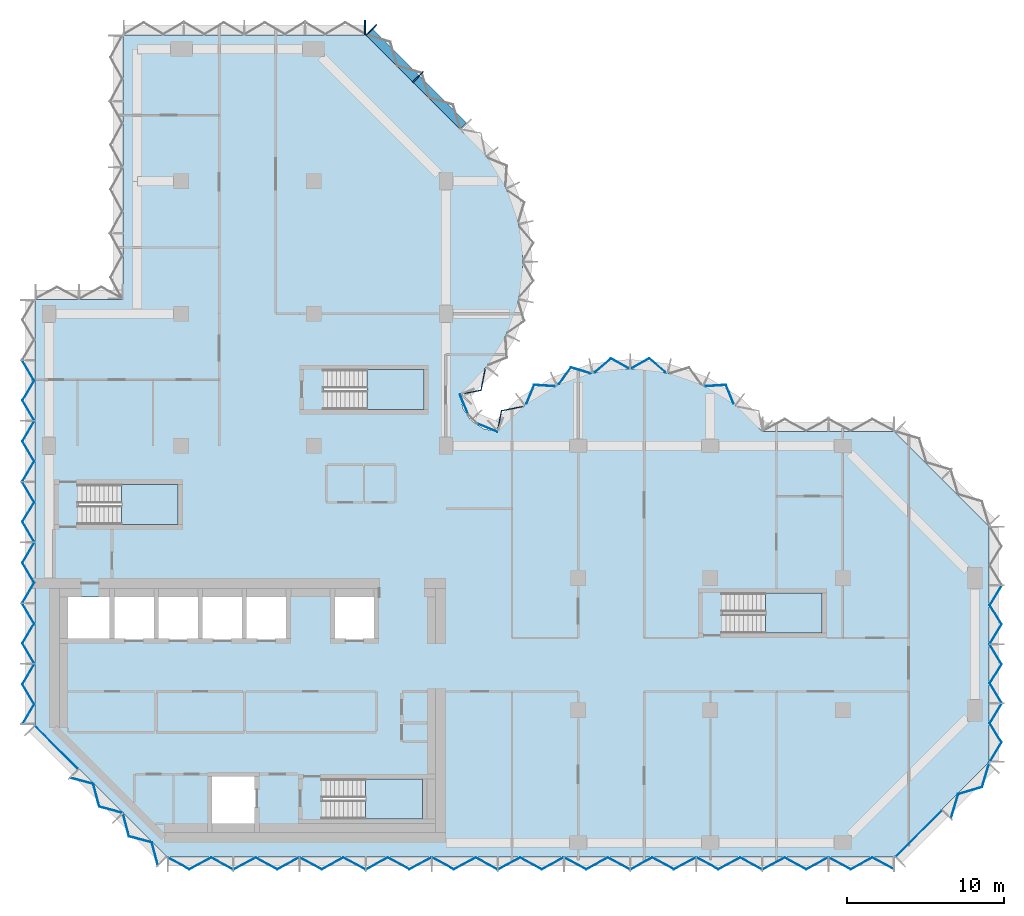
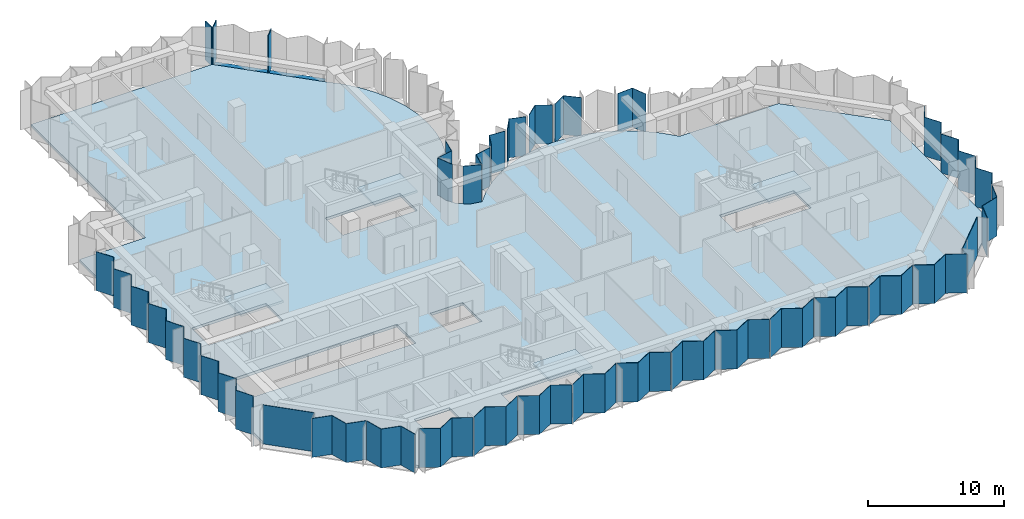
# One storey, part 3 of 10: 34 plates, 5 slabs, 4 members, 14 elements without a shape of their own.
"""IFC4 building model written with IfcOpenShell, lengths in metres."""

from ifc_helpers import new_model, si_unit, direction, frame, origin, origin_2d, place, context, subcontext, project, spatial, polyline, rectangle, outline, extrude, material, layer, layer_set, material_profile, profile_set, type_object, element, aggregate, save


model = new_model("IFC4")

# Units and contexts
model_context = context("Model", 3, precision=1e-05, world=origin(), true_north=direction((0.0, 1.0)))
body_context = subcontext(model_context, "Body", "Model", "MODEL_VIEW")
ifc_project = project(units=[si_unit("LENGTHUNIT", "METRE"), si_unit("AREAUNIT", "SQUARE_METRE"), si_unit("VOLUMEUNIT", "CUBIC_METRE"), si_unit("PLANEANGLEUNIT", "RADIAN"), si_unit("MASSUNIT", "GRAM", prefix="KILO")], contexts=[model_context])

# Site, building, storey
site_placement = place(None, origin())
site = spatial("IfcSite", under=ifc_project, at=site_placement, CompositionType="ELEMENT")
building_placement = place(site_placement, origin())
building = spatial("IfcBuilding", under=site, at=building_placement, Name="Brevane Broadcast Tower", CompositionType="ELEMENT")
storey_placement = place(building_placement, frame((0.0, 0.0, 166.800048828125)))
storey = spatial("IfcBuildingStorey", under=building, at=storey_placement, Name="L41", CompositionType="ELEMENT", Elevation=166.800048828125)

# Curtain wall, members
ifc_material_1 = material(Name="Aluminium 6063-T6 bronze anodised", Category="aluminium")
curtain_wall_type = type_object("IfcCurtainWallType", Name="CW-1 curtain wall", PredefinedType="NOTDEFINED", material=ifc_material_1)
curtain_wall_1_placement = place(storey_placement, origin())
curtain_wall_1 = element("IfcCurtainWall", 1, at=curtain_wall_1_placement, inside=storey, type_object=curtain_wall_type, Name="CW-1 typical tilted unit L41 north arm north-east chamfer", PredefinedType="NOTDEFINED")
ifc_material_profile_1 = material_profile(ifc_material_1, rectangle(XDim=0.949951171875, YDim=0.070068359375, at=origin_2d()), Name="RECT 70x950")
ifc_profile_set_1 = profile_set([ifc_material_profile_1], Name="Aluminium 6063-T6 bronze anodised")
member_type_1 = type_object("IfcMemberType", Name="CW-1 mullion 70x950", PredefinedType="MULLION", material=ifc_profile_set_1)
member_1_placement = place(storey_placement, frame((23.435791015625, 48.635986328125, -0.150146484375), z_axis=(0.0, 0.0, 1.0), x_axis=(-0.707106781187, -0.707106781187, 0.0)))
member_1 = element("IfcMember", 2, at=member_1_placement, type_object=member_type_1, Name="CW-1 mullion", PredefinedType="MULLION", context=body_context, shape_type="SweptSolid", body=[
    extrude(rectangle(XDim=0.949951171875, YDim=0.070068359375, at=origin_2d()), origin(), (0.0, 0.0, 1.0), 3.5),
])
member_2_placement = place(storey_placement, frame((20.460693359375, 51.611083984375, -0.150146484375), z_axis=(0.0, 0.0, 1.0), x_axis=(-0.707106781187, -0.707106781187, 0.0)))
member_2 = element("IfcMember", 3, at=member_2_placement, type_object=member_type_1, Name="CW-1 mullion", PredefinedType="MULLION", context=body_context, shape_type="SweptSolid", body=[
    extrude(rectangle(XDim=0.949951171875, YDim=0.070068359375, at=origin_2d()), origin(), (0.0, 0.0, 1.0), 3.5),
])

# Curtain wall, member
curtain_wall_2_placement = place(storey_placement, origin())
curtain_wall_2 = element("IfcCurtainWall", 4, at=curtain_wall_2_placement, inside=storey, type_object=curtain_wall_type, Name="CW-1 typical tilted unit L41 north end", PredefinedType="NOTDEFINED")
member_3_placement = place(storey_placement, frame((20.06494140625, 51.77490234375, -0.150146484375), z_axis=(0.0, 0.0, 1.0), x_axis=(0.0, -1.0, 0.0)))
member_3 = element("IfcMember", 5, at=member_3_placement, type_object=member_type_1, Name="CW-1 mullion", PredefinedType="MULLION", context=body_context, shape_type="SweptSolid", body=[
    extrude(rectangle(XDim=0.949951171875, YDim=0.070068359375, at=origin_2d()), origin(), (0.0, 0.0, 1.0), 3.5),
])
aggregate(curtain_wall_2, [member_3])

# Member
ifc_material_profile_2 = material_profile(ifc_material_1, rectangle(XDim=0.60009765625, YDim=0.10009765625, at=origin_2d()), Name="RECT 100x600")
ifc_profile_set_2 = profile_set([ifc_material_profile_2], Name="Aluminium 6063-T6 bronze anodised")
member_type_2 = type_object("IfcMemberType", Name="CW-1 transom 100x600", PredefinedType="USERDEFINED", material=ifc_profile_set_2)
member_4_placement = place(storey_placement, frame((26.31201171875, 45.51220703125, -0.199951171875), z_axis=(-0.707106781187, 0.707106781187, 0.0), x_axis=(-0.707106781187, -0.707106781187, 0.0)))
member_4 = element("IfcMember", 6, at=member_4_placement, type_object=member_type_2, Name="CW-1 transom", ObjectType="TRANSOM", PredefinedType="USERDEFINED", context=body_context, shape_type="SweptSolid", body=[
    extrude(rectangle(XDim=0.60009765625, YDim=0.10009765625, at=origin_2d()), origin(), (0.0, 0.0, 1.0), 8.4853515625),
])

aggregate(curtain_wall_1, [member_1, member_2, member_4])

# Curtain wall, plates
curtain_wall_3_placement = place(storey_placement, origin())
curtain_wall_3 = element("IfcCurtainWall", 7, at=curtain_wall_3_placement, inside=storey, type_object=curtain_wall_type, Name="CW-1 typical tilted unit L41 south face", PredefinedType="NOTDEFINED")
ifc_material_2 = material(Name="Laminated glass bronze-tinted", Category="glass")
ifc_layer_1 = layer(ifc_material_2, 0.0400390625)
ifc_layer_set_1 = layer_set([ifc_layer_1], Name="CW tall glass panel 40")
plate_type = type_object("IfcPlateType", Name="CW tall glass panel 40", PredefinedType="CURTAIN_PANEL", material=ifc_layer_set_1)
plate_1_placement = place(storey_placement, frame((0.0, 0.0, -0.150146484375)))
plate_1 = element("IfcPlate", 8, at=plate_1_placement, type_object=plate_type, Name="CW-1 glass panel", PredefinedType="CURTAIN_PANEL", context=body_context, shape_type="SweptSolid", body=[
    extrude(outline(polyline([(7.534912109375, -0.92724609375), (7.534912109375, -0.97265625), (8.91162109375, -1.717041015625), (10.288330078125, -0.97265625), (11.6650390625, -1.717041015625), (11.6650390625, -1.671630859375), (10.288330078125, -0.92724609375), (8.91162109375, -1.671630859375), (7.534912109375, -0.92724609375)])), origin(), (0.0, 0.0, 1.0), 3.5),
])
plate_2_placement = place(storey_placement, frame((0.0, 0.0, -0.150146484375)))
plate_2 = element("IfcPlate", 9, at=plate_2_placement, type_object=plate_type, Name="CW-1 glass panel", PredefinedType="CURTAIN_PANEL", context=body_context, shape_type="SweptSolid", body=[
    extrude(outline(polyline([(11.735107421875, -1.671630859375), (11.735107421875, -1.717041015625), (13.11181640625, -0.97265625), (14.48828125, -1.717041015625), (15.864990234375, -0.97265625), (15.864990234375, -0.92724609375), (14.48828125, -1.671630859375), (13.11181640625, -0.92724609375), (11.735107421875, -1.671630859375)])), origin(), (0.0, 0.0, 1.0), 3.5),
])
plate_3_placement = place(storey_placement, frame((0.0, 0.0, -0.150146484375)))
plate_3 = element("IfcPlate", 10, at=plate_3_placement, type_object=plate_type, Name="CW-1 glass panel", PredefinedType="CURTAIN_PANEL", context=body_context, shape_type="SweptSolid", body=[
    extrude(outline(polyline([(15.93505859375, -0.92724609375), (15.93505859375, -0.97265625), (17.311767578125, -1.717041015625), (18.688232421875, -0.97265625), (20.06494140625, -1.717041015625), (20.06494140625, -1.671630859375), (18.688232421875, -0.92724609375), (17.311767578125, -1.671630859375), (15.93505859375, -0.92724609375)])), origin(), (0.0, 0.0, 1.0), 3.5),
])
plate_4_placement = place(storey_placement, frame((0.0, 0.0, -0.150146484375)))
plate_4 = element("IfcPlate", 11, at=plate_4_placement, type_object=plate_type, Name="CW-1 glass panel", PredefinedType="CURTAIN_PANEL", context=body_context, shape_type="SweptSolid", body=[
    extrude(outline(polyline([(20.135009765625, -1.671630859375), (20.135009765625, -1.717041015625), (21.51171875, -0.97265625), (22.88818359375, -1.717041015625), (24.264892578125, -0.97265625), (24.264892578125, -0.92724609375), (22.88818359375, -1.671630859375), (21.51171875, -0.92724609375), (20.135009765625, -1.671630859375)])), origin(), (0.0, 0.0, 1.0), 3.5),
])
plate_5_placement = place(storey_placement, frame((0.0, 0.0, -0.150146484375)))
plate_5 = element("IfcPlate", 12, at=plate_5_placement, type_object=plate_type, Name="CW-1 glass panel", PredefinedType="CURTAIN_PANEL", context=body_context, shape_type="SweptSolid", body=[
    extrude(outline(polyline([(24.3349609375, -0.92724609375), (24.3349609375, -0.97265625), (25.711669921875, -1.717041015625), (27.08837890625, -0.97265625), (28.465087890625, -1.717041015625), (28.465087890625, -1.671630859375), (27.08837890625, -0.92724609375), (25.711669921875, -1.671630859375), (24.3349609375, -0.92724609375)])), origin(), (0.0, 0.0, 1.0), 3.5),
])
plate_6_placement = place(storey_placement, frame((0.0, 0.0, -0.150146484375)))
plate_6 = element("IfcPlate", 13, at=plate_6_placement, type_object=plate_type, Name="CW-1 glass panel", PredefinedType="CURTAIN_PANEL", context=body_context, shape_type="SweptSolid", body=[
    extrude(outline(polyline([(28.534912109375, -1.671630859375), (28.534912109375, -1.717041015625), (29.91162109375, -0.97265625), (31.288330078125, -1.717041015625), (32.6650390625, -0.97265625), (32.6650390625, -0.92724609375), (31.288330078125, -1.671630859375), (29.91162109375, -0.92724609375), (28.534912109375, -1.671630859375)])), origin(), (0.0, 0.0, 1.0), 3.5),
])
plate_7_placement = place(storey_placement, frame((0.0, 0.0, -0.150146484375)))
plate_7 = element("IfcPlate", 14, at=plate_7_placement, type_object=plate_type, Name="CW-1 glass panel", PredefinedType="CURTAIN_PANEL", context=body_context, shape_type="SweptSolid", body=[
    extrude(outline(polyline([(32.735107421875, -0.92724609375), (32.735107421875, -0.97265625), (34.11181640625, -1.717041015625), (35.48828125, -0.97265625), (36.864990234375, -1.717041015625), (36.864990234375, -1.671630859375), (35.48828125, -0.92724609375), (34.11181640625, -1.671630859375), (32.735107421875, -0.92724609375)])), origin(), (0.0, 0.0, 1.0), 3.5),
])
plate_8_placement = place(storey_placement, frame((0.0, 0.0, -0.150146484375)))
plate_8 = element("IfcPlate", 15, at=plate_8_placement, type_object=plate_type, Name="CW-1 glass panel", PredefinedType="CURTAIN_PANEL", context=body_context, shape_type="SweptSolid", body=[
    extrude(outline(polyline([(36.93505859375, -1.671630859375), (36.93505859375, -1.717041015625), (38.311767578125, -0.97265625), (39.688232421875, -1.717041015625), (41.06494140625, -0.97265625), (41.06494140625, -0.92724609375), (39.688232421875, -1.671630859375), (38.311767578125, -0.92724609375), (36.93505859375, -1.671630859375)])), origin(), (0.0, 0.0, 1.0), 3.5),
])
plate_9_placement = place(storey_placement, frame((0.0, 0.0, -0.150146484375)))
plate_9 = element("IfcPlate", 16, at=plate_9_placement, type_object=plate_type, Name="CW-1 glass panel", PredefinedType="CURTAIN_PANEL", context=body_context, shape_type="SweptSolid", body=[
    extrude(outline(polyline([(41.135009765625, -0.92724609375), (41.135009765625, -0.97265625), (42.51171875, -1.717041015625), (43.88818359375, -0.97265625), (45.264892578125, -1.717041015625), (45.264892578125, -1.671630859375), (43.88818359375, -0.92724609375), (42.51171875, -1.671630859375), (41.135009765625, -0.92724609375)])), origin(), (0.0, 0.0, 1.0), 3.5),
])
plate_10_placement = place(storey_placement, frame((0.0, 0.0, -0.150146484375)))
plate_10 = element("IfcPlate", 17, at=plate_10_placement, type_object=plate_type, Name="CW-1 glass panel", PredefinedType="CURTAIN_PANEL", context=body_context, shape_type="SweptSolid", body=[
    extrude(outline(polyline([(45.3349609375, -1.671630859375), (45.3349609375, -1.717041015625), (46.711669921875, -0.97265625), (48.08837890625, -1.717041015625), (49.465087890625, -0.97265625), (49.465087890625, -0.92724609375), (48.08837890625, -1.671630859375), (46.711669921875, -0.92724609375), (45.3349609375, -1.671630859375)])), origin(), (0.0, 0.0, 1.0), 3.5),
])
plate_11_placement = place(storey_placement, frame((0.0, 0.0, -0.150146484375)))
plate_11 = element("IfcPlate", 18, at=plate_11_placement, type_object=plate_type, Name="CW-1 glass panel", PredefinedType="CURTAIN_PANEL", context=body_context, shape_type="SweptSolid", body=[
    extrude(outline(polyline([(49.534912109375, -0.92724609375), (49.534912109375, -0.97265625), (50.91162109375, -1.717041015625), (52.288330078125, -0.97265625), (53.6650390625, -1.717041015625), (53.6650390625, -1.671630859375), (52.288330078125, -0.92724609375), (50.91162109375, -1.671630859375), (49.534912109375, -0.92724609375)])), origin(), (0.0, 0.0, 1.0), 3.5),
])
aggregate(curtain_wall_3, [plate_1, plate_2, plate_3, plate_4, plate_5, plate_6, plate_7, plate_8, plate_9, plate_10, plate_11])

curtain_wall_4_placement = place(storey_placement, origin())
curtain_wall_4 = element("IfcCurtainWall", 19, at=curtain_wall_4_placement, inside=storey, type_object=curtain_wall_type, Name="CW-1 typical tilted unit L41 south-east chamfer", PredefinedType="NOTDEFINED")
plate_12_placement = place(storey_placement, frame((0.0, 0.0, -0.150146484375)))
plate_12 = element("IfcPlate", 20, at=plate_12_placement, type_object=plate_type, Name="CW-1 glass panel", PredefinedType="CURTAIN_PANEL", context=body_context, shape_type="SweptSolid", body=[
    extrude(outline(polyline([(53.74609375, -0.896484375), (56.696533203125, 2.053955078125), (56.724609375, 2.02587890625), (53.774169921875, -0.9248046875), (53.74609375, -0.896484375)])), origin(), (0.0, 0.0, 1.0), 3.5),
])
plate_13_placement = place(storey_placement, frame((0.0, 0.0, -0.150146484375)))
plate_13 = element("IfcPlate", 21, at=plate_13_placement, type_object=plate_type, Name="CW-1 glass panel", PredefinedType="CURTAIN_PANEL", context=body_context, shape_type="SweptSolid", body=[
    extrude(outline(polyline([(57.2705078125, 1.5791015625), (57.302490234375, 1.547119140625), (57.759521484375, 3.056884765625), (59.26953125, 3.513916015625), (59.7265625, 5.02392578125), (59.694580078125, 5.055908203125), (59.2373046875, 3.546142578125), (57.7275390625, 3.0888671875), (57.2705078125, 1.5791015625)])), origin(), (0.0, 0.0, 1.0), 3.5),
])
aggregate(curtain_wall_4, [plate_12, plate_13])

curtain_wall_5_placement = place(storey_placement, origin())
curtain_wall_5 = element("IfcCurtainWall", 22, at=curtain_wall_5_placement, inside=storey, type_object=curtain_wall_type, Name="CW-1 typical tilted unit L41 east end", PredefinedType="NOTDEFINED")
plate_14_placement = place(storey_placement, frame((0.0, 0.0, -0.150146484375)))
plate_14 = element("IfcPlate", 23, at=plate_14_placement, type_object=plate_type, Name="CW-1 glass panel", PredefinedType="CURTAIN_PANEL", context=body_context, shape_type="SweptSolid", body=[
    extrude(outline(polyline([(59.7265625, 5.135009765625), (59.7734375, 5.135009765625), (60.517822265625, 6.36181640625), (59.7734375, 7.58837890625), (60.517822265625, 8.81494140625), (60.470947265625, 8.81494140625), (59.7265625, 7.58837890625), (60.470947265625, 6.36181640625), (59.7265625, 5.135009765625)])), origin(), (0.0, 0.0, 1.0), 3.5),
])
plate_15_placement = place(storey_placement, frame((0.0, 0.0, -0.150146484375)))
plate_15 = element("IfcPlate", 24, at=plate_15_placement, type_object=plate_type, Name="CW-1 glass panel", PredefinedType="CURTAIN_PANEL", context=body_context, shape_type="SweptSolid", body=[
    extrude(outline(polyline([(60.470947265625, 8.885009765625), (60.517822265625, 8.885009765625), (59.7734375, 10.11181640625), (60.517822265625, 11.33837890625), (59.7734375, 12.56494140625), (59.7265625, 12.56494140625), (60.470947265625, 11.33837890625), (59.7265625, 10.11181640625), (60.470947265625, 8.885009765625)])), origin(), (0.0, 0.0, 1.0), 3.5),
])
plate_16_placement = place(storey_placement, frame((0.0, 0.0, -0.150146484375)))
plate_16 = element("IfcPlate", 25, at=plate_16_placement, type_object=plate_type, Name="CW-1 glass panel", PredefinedType="CURTAIN_PANEL", context=body_context, shape_type="SweptSolid", body=[
    extrude(outline(polyline([(59.7265625, 12.635009765625), (59.7734375, 12.635009765625), (60.517822265625, 13.86181640625), (59.7734375, 15.08837890625), (60.517822265625, 16.31494140625), (60.470947265625, 16.31494140625), (59.7265625, 15.08837890625), (60.470947265625, 13.86181640625), (59.7265625, 12.635009765625)])), origin(), (0.0, 0.0, 1.0), 3.5),
])
aggregate(curtain_wall_5, [plate_14, plate_15, plate_16])

curtain_wall_6_placement = place(storey_placement, origin())
curtain_wall_6 = element("IfcCurtainWall", 26, at=curtain_wall_6_placement, inside=storey, type_object=curtain_wall_type, Name="CW-1 typical tilted unit L41 east bow", PredefinedType="NOTDEFINED")
plate_17_placement = place(storey_placement, frame((0.0, 0.0, -0.150146484375)))
plate_17 = element("IfcPlate", 27, at=plate_17_placement, type_object=plate_type, Name="CW-1 glass panel", PredefinedType="CURTAIN_PANEL", context=body_context, shape_type="SweptSolid", body=[
    extrude(outline(polyline([(43.45703125, 27.8759765625), (43.4853515625, 27.912109375), (43.00390625, 29.089111328125), (41.710693359375, 29.006591796875), (41.69091796875, 28.96533203125), (42.977783203125, 29.04736328125), (43.45703125, 27.8759765625)])), origin(), (0.0, 0.0, 1.0), 3.5),
])
plate_18_placement = place(storey_placement, frame((0.0, 0.0, -0.150146484375)))
plate_18 = element("IfcPlate", 28, at=plate_18_placement, type_object=plate_type, Name="CW-1 glass panel", PredefinedType="CURTAIN_PANEL", context=body_context, shape_type="SweptSolid", body=[
    extrude(outline(polyline([(39.125, 29.859619140625), (39.13525390625, 29.903564453125), (38.116943359375, 30.779296875), (37.008056640625, 30.15869140625), (37.008056640625, 30.11279296875), (38.112060546875, 30.730712890625), (39.125, 29.859619140625)])), origin(), (0.0, 0.0, 1.0), 3.5),
])
plate_19_placement = place(storey_placement, frame((0.0, 0.0, -0.150146484375)))
plate_19 = element("IfcPlate", 29, at=plate_19_placement, type_object=plate_type, Name="CW-1 glass panel", PredefinedType="CURTAIN_PANEL", context=body_context, shape_type="SweptSolid", body=[
    extrude(outline(polyline([(36.7919921875, 30.11279296875), (36.7919921875, 30.15869140625), (35.68310546875, 30.779296875), (34.664794921875, 29.903564453125), (34.6748046875, 29.859619140625), (35.68798828125, 30.730712890625), (36.7919921875, 30.11279296875)])), origin(), (0.0, 0.0, 1.0), 3.5),
])
plate_20_placement = place(storey_placement, frame((0.0, 0.0, -0.150146484375)))
plate_20 = element("IfcPlate", 30, at=plate_20_placement, type_object=plate_type, Name="CW-1 glass panel", PredefinedType="CURTAIN_PANEL", context=body_context, shape_type="SweptSolid", body=[
    extrude(outline(polyline([(34.359619140625, 29.78857421875), (34.349365234375, 29.83349609375), (33.132080078125, 30.20166015625), (32.381103515625, 29.1455078125), (32.400634765625, 29.104248046875), (33.148193359375, 30.155029296875), (34.359619140625, 29.78857421875)])), origin(), (0.0, 0.0, 1.0), 3.5),
])
plate_21_placement = place(storey_placement, frame((0.0, 0.0, -0.150146484375)))
plate_21 = element("IfcPlate", 31, at=plate_21_placement, type_object=plate_type, Name="CW-1 glass panel", PredefinedType="CURTAIN_PANEL", context=body_context, shape_type="SweptSolid", body=[
    extrude(outline(polyline([(32.10888671875, 28.96533203125), (32.08935546875, 29.006591796875), (30.7958984375, 29.089111328125), (30.314697265625, 27.912109375), (30.343017578125, 27.8759765625), (30.822265625, 29.04736328125), (32.10888671875, 28.96533203125)])), origin(), (0.0, 0.0, 1.0), 3.5),
])
plate_22_placement = place(storey_placement, frame((0.0, 0.0, -0.150146484375)))
plate_22 = element("IfcPlate", 32, at=plate_22_placement, type_object=plate_type, Name="CW-1 glass panel", PredefinedType="CURTAIN_PANEL", context=body_context, shape_type="SweptSolid", body=[
    extrude(outline(polyline([(30.089111328125, 27.67626953125), (30.0615234375, 27.71142578125), (28.7138671875, 27.447265625), (28.471923828125, 26.17919921875), (28.506103515625, 26.14404296875), (28.748046875, 27.4130859375), (30.089111328125, 27.67626953125)])), origin(), (0.0, 0.0, 1.0), 3.5),
])
aggregate(curtain_wall_6, [plate_17, plate_18, plate_19, plate_20, plate_21, plate_22])

curtain_wall_7_placement = place(storey_placement, origin())
curtain_wall_7 = element("IfcCurtainWall", 33, at=curtain_wall_7_placement, inside=storey, type_object=curtain_wall_type, Name="CW-1 typical tilted unit L41 inner corner", PredefinedType="NOTDEFINED")
plate_23_placement = place(storey_placement, frame((0.0, 0.0, -0.150146484375)))
plate_23 = element("IfcPlate", 34, at=plate_23_placement, type_object=plate_type, Name="CW-1 glass panel", PredefinedType="CURTAIN_PANEL", context=body_context, shape_type="SweptSolid", body=[
    extrude(outline(polyline([(28.45166015625, 26.07470703125), (28.466796875, 26.111572265625), (27.2021484375, 26.635498046875), (27.17138671875, 26.60498046875), (28.45166015625, 26.07470703125)])), origin(), (0.0, 0.0, 1.0), 3.5),
])
plate_24_placement = place(storey_placement, frame((0.0, 0.0, -0.150146484375)))
plate_24 = element("IfcPlate", 35, at=plate_24_placement, type_object=plate_type, Name="CW-1 glass panel", PredefinedType="CURTAIN_PANEL", context=body_context, shape_type="SweptSolid", body=[
    extrude(outline(polyline([(26.60498046875, 27.17138671875), (26.635498046875, 27.2021484375), (26.111572265625, 28.466796875), (26.07470703125, 28.45166015625), (26.60498046875, 27.17138671875)])), origin(), (0.0, 0.0, 1.0), 3.5),
])
aggregate(curtain_wall_7, [plate_23, plate_24])

# Curtain wall, plate
curtain_wall_8_placement = place(storey_placement, origin())
curtain_wall_8 = element("IfcCurtainWall", 36, at=curtain_wall_8_placement, inside=storey, type_object=curtain_wall_type, Name="CW-1 typical tilted unit L41 north bow", PredefinedType="NOTDEFINED")
plate_25_placement = place(storey_placement, frame((0.0, 0.0, -0.150146484375)))
plate_25 = element("IfcPlate", 37, at=plate_25_placement, type_object=plate_type, Name="CW-1 glass panel", PredefinedType="CURTAIN_PANEL", context=body_context, shape_type="SweptSolid", body=[
    extrude(outline(polyline([(26.14404296875, 28.506103515625), (26.17919921875, 28.471923828125), (27.447265625, 28.7138671875), (27.71142578125, 30.0615234375), (27.67626953125, 30.089111328125), (27.4130859375, 28.748046875), (26.14404296875, 28.506103515625)])), origin(), (0.0, 0.0, 1.0), 3.5),
])
aggregate(curtain_wall_8, [plate_25])

# Curtain wall, plates
curtain_wall_9_placement = place(storey_placement, origin())
curtain_wall_9 = element("IfcCurtainWall", 38, at=curtain_wall_9_placement, inside=storey, type_object=curtain_wall_type, Name="CW-1 typical tilted unit L41 west face", PredefinedType="NOTDEFINED")
plate_26_placement = place(storey_placement, frame((0.0, 0.0, -0.150146484375)))
plate_26 = element("IfcPlate", 39, at=plate_26_placement, type_object=plate_type, Name="CW-1 glass panel", PredefinedType="CURTAIN_PANEL", context=body_context, shape_type="SweptSolid", body=[
    extrude(outline(polyline([(-1.671142578125, 30.60791015625), (-1.717529296875, 30.60791015625), (-0.97314453125, 29.345458984375), (-1.717529296875, 28.0830078125), (-0.97314453125, 26.82080078125), (-0.9267578125, 26.82080078125), (-1.671142578125, 28.0830078125), (-0.9267578125, 29.345458984375), (-1.671142578125, 30.60791015625)])), origin(), (0.0, 0.0, 1.0), 3.5),
])
plate_27_placement = place(storey_placement, frame((0.0, 0.0, -0.150146484375)))
plate_27 = element("IfcPlate", 40, at=plate_27_placement, type_object=plate_type, Name="CW-1 glass panel", PredefinedType="CURTAIN_PANEL", context=body_context, shape_type="SweptSolid", body=[
    extrude(outline(polyline([(-0.9267578125, 26.750732421875), (-0.97314453125, 26.750732421875), (-1.717529296875, 25.48828125), (-0.97314453125, 24.22607421875), (-1.717529296875, 22.963623046875), (-1.671142578125, 22.963623046875), (-0.9267578125, 24.22607421875), (-1.671142578125, 25.48828125), (-0.9267578125, 26.750732421875)])), origin(), (0.0, 0.0, 1.0), 3.5),
])
plate_28_placement = place(storey_placement, frame((0.0, 0.0, -0.150146484375)))
plate_28 = element("IfcPlate", 41, at=plate_28_placement, type_object=plate_type, Name="CW-1 glass panel", PredefinedType="CURTAIN_PANEL", context=body_context, shape_type="SweptSolid", body=[
    extrude(outline(polyline([(-1.671142578125, 22.8935546875), (-1.717529296875, 22.8935546875), (-0.97314453125, 21.631103515625), (-1.717529296875, 20.368896484375), (-0.97314453125, 19.1064453125), (-0.9267578125, 19.1064453125), (-1.671142578125, 20.368896484375), (-0.9267578125, 21.631103515625), (-1.671142578125, 22.8935546875)])), origin(), (0.0, 0.0, 1.0), 3.5),
])
plate_29_placement = place(storey_placement, frame((0.0, 0.0, -0.150146484375)))
plate_29 = element("IfcPlate", 42, at=plate_29_placement, type_object=plate_type, Name="CW-1 glass panel", PredefinedType="CURTAIN_PANEL", context=body_context, shape_type="SweptSolid", body=[
    extrude(outline(polyline([(-0.9267578125, 19.036376953125), (-0.97314453125, 19.036376953125), (-1.717529296875, 17.77392578125), (-0.97314453125, 16.51171875), (-1.717529296875, 15.249267578125), (-1.671142578125, 15.249267578125), (-0.9267578125, 16.51171875), (-1.671142578125, 17.77392578125), (-0.9267578125, 19.036376953125)])), origin(), (0.0, 0.0, 1.0), 3.5),
])
plate_30_placement = place(storey_placement, frame((0.0, 0.0, -0.150146484375)))
plate_30 = element("IfcPlate", 43, at=plate_30_placement, type_object=plate_type, Name="CW-1 glass panel", PredefinedType="CURTAIN_PANEL", context=body_context, shape_type="SweptSolid", body=[
    extrude(outline(polyline([(-1.671142578125, 15.17919921875), (-1.717529296875, 15.17919921875), (-0.97314453125, 13.9169921875), (-1.717529296875, 12.654541015625), (-0.97314453125, 11.39208984375), (-0.9267578125, 11.39208984375), (-1.671142578125, 12.654541015625), (-0.9267578125, 13.9169921875), (-1.671142578125, 15.17919921875)])), origin(), (0.0, 0.0, 1.0), 3.5),
])
plate_31_placement = place(storey_placement, frame((0.0, 0.0, -0.150146484375)))
plate_31 = element("IfcPlate", 44, at=plate_31_placement, type_object=plate_type, Name="CW-1 glass panel", PredefinedType="CURTAIN_PANEL", context=body_context, shape_type="SweptSolid", body=[
    extrude(outline(polyline([(-0.9267578125, 11.322021484375), (-0.97314453125, 11.322021484375), (-1.717529296875, 10.059814453125), (-0.97314453125, 8.79736328125), (-1.717529296875, 7.534912109375), (-1.671142578125, 7.534912109375), (-0.9267578125, 8.79736328125), (-1.671142578125, 10.059814453125), (-0.9267578125, 11.322021484375)])), origin(), (0.0, 0.0, 1.0), 3.5),
])
aggregate(curtain_wall_9, [plate_26, plate_27, plate_28, plate_29, plate_30, plate_31])

curtain_wall_10_placement = place(storey_placement, origin())
curtain_wall_10 = element("IfcCurtainWall", 45, at=curtain_wall_10_placement, inside=storey, type_object=curtain_wall_type, Name="CW-1 typical tilted unit L41 south-west chamfer", PredefinedType="NOTDEFINED")
plate_32_placement = place(storey_placement, frame((0.0, 0.0, -0.150146484375)))
plate_32 = element("IfcPlate", 46, at=plate_32_placement, type_object=plate_type, Name="CW-1 glass panel", PredefinedType="CURTAIN_PANEL", context=body_context, shape_type="SweptSolid", body=[
    extrude(outline(polyline([(-0.896484375, 7.4541015625), (1.85400390625, 4.70361328125), (1.82568359375, 4.67529296875), (-0.9248046875, 7.42578125), (-0.896484375, 7.4541015625)])), origin(), (0.0, 0.0, 1.0), 3.5),
])
plate_33_placement = place(storey_placement, frame((0.0, 0.0, -0.150146484375)))
plate_33 = element("IfcPlate", 47, at=plate_33_placement, type_object=plate_type, Name="CW-1 glass panel", PredefinedType="CURTAIN_PANEL", context=body_context, shape_type="SweptSolid", body=[
    extrude(outline(polyline([(1.37939453125, 4.1298828125), (1.3466796875, 4.09716796875), (2.789794921875, 3.706787109375), (3.180419921875, 2.263671875), (4.62353515625, 1.873046875), (4.65625, 1.90576171875), (3.212890625, 2.296142578125), (2.822509765625, 3.739501953125), (1.37939453125, 4.1298828125)])), origin(), (0.0, 0.0, 1.0), 3.5),
])
plate_34_placement = place(storey_placement, frame((0.0, 0.0, -0.150146484375)))
plate_34 = element("IfcPlate", 48, at=plate_34_placement, type_object=plate_type, Name="CW-1 glass panel", PredefinedType="CURTAIN_PANEL", context=body_context, shape_type="SweptSolid", body=[
    extrude(outline(polyline([(4.705810546875, 1.856201171875), (4.673095703125, 1.823486328125), (5.063720703125, 0.38037109375), (6.5068359375, -0.010009765625), (6.897216796875, -1.453369140625), (6.9296875, -1.420654296875), (6.539306640625, 0.0224609375), (5.09619140625, 0.4130859375), (4.705810546875, 1.856201171875)])), origin(), (0.0, 0.0, 1.0), 3.5),
])
aggregate(curtain_wall_10, [plate_32, plate_33, plate_34])

# Stair, slab
ifc_material_3 = material(Name="Concrete C50/60", Category="concrete")
stair_type = type_object("IfcStairType", Name="Exit stair 22 risers", PredefinedType="HALF_TURN_STAIR", material=ifc_material_3)
stair_1_placement = place(storey_placement, origin())
stair_1 = element("IfcStair", 49, at=stair_1_placement, inside=storey, type_object=stair_type, Name="L41 Exit stair ST-1", PredefinedType="HALF_TURN_STAIR")
ifc_layer_2 = layer(ifc_material_3, 0.199951171875)
ifc_layer_set_2 = layer_set([ifc_layer_2], Name="Exit stair landing")
slab_type_1 = type_object("IfcSlabType", Name="Exit stair landing", PredefinedType="LANDING", material=ifc_layer_set_2)
slab_1_placement = place(storey_placement, frame((0.0, 0.0, 1.599853515625)))
slab_1 = element("IfcSlab", 50, at=slab_1_placement, type_object=slab_type_1, Name="ST-1 landing 1", PredefinedType="LANDING", context=body_context, shape_type="SweptSolid", body=[
    extrude(outline(polyline([(4.60009765625, 20.199951171875), (8.199951171875, 20.199951171875), (8.199951171875, 22.75), (4.60009765625, 22.75), (4.60009765625, 20.199951171875)])), origin(), (0.0, 0.0, 1.0), 0.2001953125),
])
aggregate(stair_1, [slab_1])

stair_2_placement = place(storey_placement, origin())
stair_2 = element("IfcStair", 51, at=stair_2_placement, inside=storey, type_object=stair_type, Name="L41 Exit stair ST-2", PredefinedType="HALF_TURN_STAIR")
slab_2_placement = place(storey_placement, frame((0.0, 0.0, 1.599853515625)))
slab_2 = element("IfcSlab", 52, at=slab_2_placement, type_object=slab_type_1, Name="ST-2 landing 1", PredefinedType="LANDING", context=body_context, shape_type="SweptSolid", body=[
    extrude(outline(polyline([(20.10009765625, 1.5), (23.699951171875, 1.5), (23.699951171875, 4.050048828125), (20.10009765625, 4.050048828125), (20.10009765625, 1.5)])), origin(), (0.0, 0.0, 1.0), 0.2001953125),
])
aggregate(stair_2, [slab_2])

stair_3_placement = place(storey_placement, origin())
stair_3 = element("IfcStair", 53, at=stair_3_placement, inside=storey, type_object=stair_type, Name="L41 Exit stair ST-3", PredefinedType="HALF_TURN_STAIR")
slab_3_placement = place(storey_placement, frame((0.0, 0.0, 1.599853515625)))
slab_3 = element("IfcSlab", 54, at=slab_3_placement, type_object=slab_type_1, Name="ST-3 landing 1", PredefinedType="LANDING", context=body_context, shape_type="SweptSolid", body=[
    extrude(outline(polyline([(20.199951171875, 27.5), (23.800048828125, 27.5), (23.800048828125, 30.050048828125), (20.199951171875, 30.050048828125), (20.199951171875, 27.5)])), origin(), (0.0, 0.0, 1.0), 0.2001953125),
])
aggregate(stair_3, [slab_3])

stair_4_placement = place(storey_placement, origin())
stair_4 = element("IfcStair", 55, at=stair_4_placement, inside=storey, type_object=stair_type, Name="L41 Exit stair ST-4", PredefinedType="HALF_TURN_STAIR")
slab_4_placement = place(storey_placement, frame((0.0, 0.0, 1.599853515625)))
slab_4 = element("IfcSlab", 56, at=slab_4_placement, type_object=slab_type_1, Name="ST-4 landing 1", PredefinedType="LANDING", context=body_context, shape_type="SweptSolid", body=[
    extrude(outline(polyline([(45.5, 13.300048828125), (49.10009765625, 13.300048828125), (49.10009765625, 15.85009765625), (45.5, 15.85009765625), (45.5, 13.300048828125)])), origin(), (0.0, 0.0, 1.0), 0.2001953125),
])
aggregate(stair_4, [slab_4])

# Slab
ifc_material_4 = material(Name="Concrete C40/50", Category="concrete")
ifc_layer_3 = layer(ifc_material_4, 0.25)
ifc_layer_set_3 = layer_set([ifc_layer_3], Name="RC FLOOR SLAB 250 C40/50")
slab_type_2 = type_object("IfcSlabType", Name="RC FLOOR SLAB 250 C40/50", PredefinedType="FLOOR", material=ifc_layer_set_3)
slab_5_placement = place(storey_placement, frame((0.0, 0.0, -0.25)))
element("IfcSlab", 57, at=slab_5_placement, inside=storey, type_object=slab_type_2, Name="SL250 L41", PredefinedType="FLOOR", context=body_context, shape_type="SweptSolid", body=[
    extrude(outline(polyline([(-0.89990234375, 7.5), (-0.89990234375, 34.5), (4.699951171875, 34.5), (4.699951171875, 51.300048828125), (20.10009765625, 51.300048828125), (26.10009765625, 45.300048828125), (27.10888671875, 44.36865234375), (27.99169921875, 43.317138671875), (28.734130859375, 42.162353515625), (29.324462890625, 40.922607421875), (29.7529296875, 39.618408203125), (30.012939453125, 38.270263671875), (30.10009765625, 36.89990234375), (30.012939453125, 35.52978515625), (29.7529296875, 34.181640625), (29.324462890625, 32.877197265625), (28.734130859375, 31.6376953125), (27.99169921875, 30.48291015625), (27.10888671875, 29.431396484375), (26.10009765625, 28.5), (26.28271484375, 27.58154296875), (26.802978515625, 26.802978515625), (27.58154296875, 26.28271484375), (28.5, 26.10009765625), (29.431396484375, 27.10888671875), (30.48291015625, 27.99169921875), (31.6376953125, 28.734130859375), (32.877197265625, 29.324462890625), (34.181640625, 29.7529296875), (35.52978515625, 30.012939453125), (36.89990234375, 30.10009765625), (38.270263671875, 30.012939453125), (39.618408203125, 29.7529296875), (40.922607421875, 29.324462890625), (42.162353515625, 28.734130859375), (43.317138671875, 27.99169921875), (44.36865234375, 27.10888671875), (45.300048828125, 26.10009765625), (53.699951171875, 26.10009765625), (59.699951171875, 20.10009765625), (59.699951171875, 5.10009765625), (53.699951171875, -0.89990234375), (7.5, -0.89990234375), (-0.89990234375, 7.5)]), holes=[polyline([(13.199951171875, 4.39990234375), (10.199951171875, 4.39990234375), (10.199951171875, 1.199951171875), (13.199951171875, 1.199951171875), (13.199951171875, 4.39990234375)]), polyline([(4.0, 15.60009765625), (1.199951171875, 15.60009765625), (1.199951171875, 12.800048828125), (4.0, 12.800048828125), (6.800048828125, 12.800048828125), (9.60009765625, 12.800048828125), (12.39990234375, 12.800048828125), (15.199951171875, 12.800048828125), (15.199951171875, 15.60009765625), (12.39990234375, 15.60009765625), (9.60009765625, 15.60009765625), (6.800048828125, 15.60009765625), (4.0, 15.60009765625)]), polyline([(1.860107421875, 22.75), (1.860107421875, 20.199951171875), (8.199951171875, 20.199951171875), (8.199951171875, 22.75), (1.860107421875, 22.75)]), polyline([(23.699951171875, 4.050048828125), (17.360107421875, 4.050048828125), (17.360107421875, 1.5), (23.699951171875, 1.5), (23.699951171875, 4.050048828125)]), polyline([(20.800048828125, 15.60009765625), (18.0, 15.60009765625), (18.0, 12.800048828125), (20.800048828125, 12.800048828125), (20.800048828125, 15.60009765625)]), polyline([(49.10009765625, 15.85009765625), (42.760009765625, 15.85009765625), (42.760009765625, 13.300048828125), (49.10009765625, 13.300048828125), (49.10009765625, 15.85009765625)]), polyline([(23.800048828125, 30.050048828125), (17.4599609375, 30.050048828125), (17.4599609375, 27.5), (23.800048828125, 27.5), (23.800048828125, 30.050048828125)])]), origin(), (0.0, 0.0, 1.0), 0.25),
])

save(model, "model.ifc")
